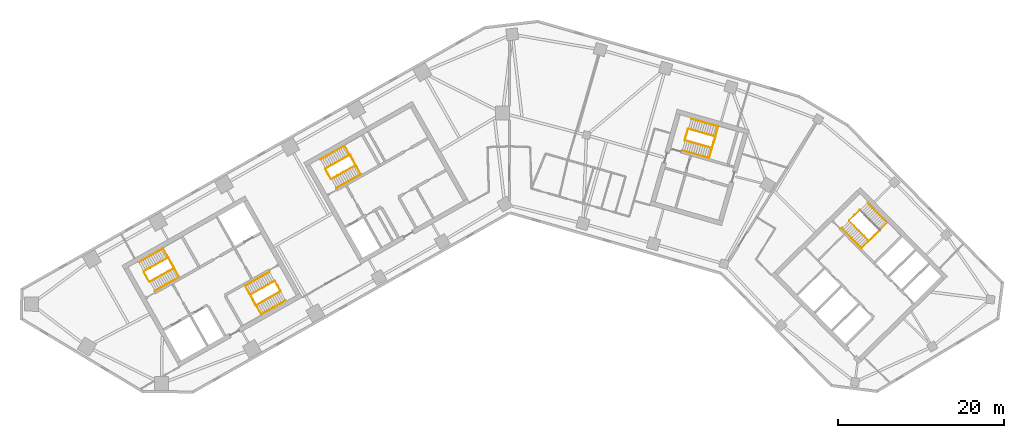
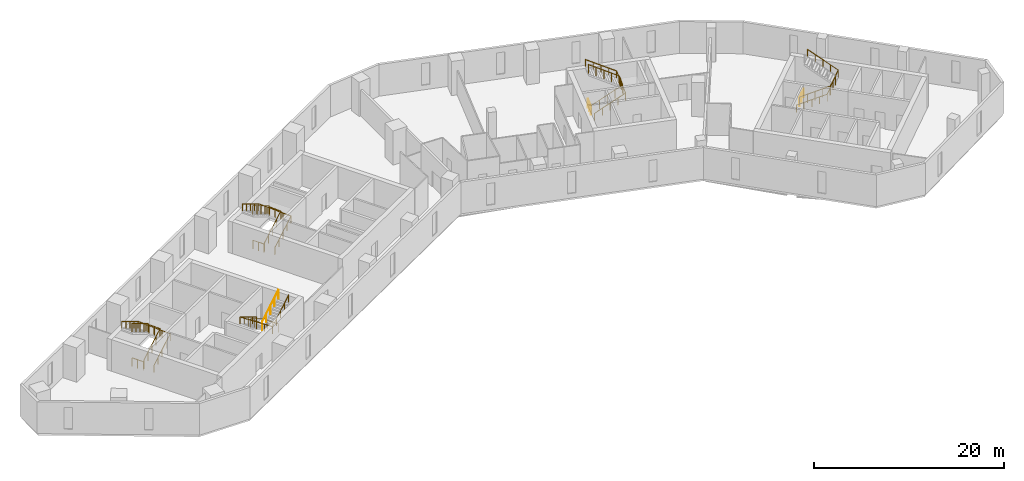
# One storey, part 9 of 10: 19 railings.
"""IFC4 building model written with IfcOpenShell, lengths in metres."""

import ifcopenshell
import ifcopenshell.guid

model = None  # the IFC model being written
_history = None  # IfcOwnerHistory: only IFC2X3 demands one
_inside = {}  # id of a spatial element -> (the spatial element, [elements in it])
_under = {}  # id of a project, library or spatial element -> (it, [spatial elements below it])
_declared = {}  # id of a project -> (the project, [libraries it declares])
_typed = {}  # id of a type object -> (the type object, [elements of that type])
_made_of = {}  # id of a material, layer set ... -> (it, [elements and type objects made of it])


def new_model(schema):
    """Start an empty IFC model of exactly this schema.

    Asked for "IFC4X3", IfcOpenShell would pick the latest addendum, in which some entities
    have other attributes; the version numbers below select the first issue.
    IFC2X3 requires an IfcOwnerHistory on every rooted entity: one is made here for all.
    """
    global model, _history
    if schema == "IFC4X3":
        model = ifcopenshell.file(schema_version=(4, 3, 0, 0))
    else:
        model = ifcopenshell.file(schema=schema)
    _inside.clear()
    _under.clear()
    _declared.clear()
    _typed.clear()
    _made_of.clear()
    _history = None
    if model.schema == "IFC2X3":
        org = make("IfcOrganization", Name="unknown")
        user = make(
            "IfcPersonAndOrganization",
            ThePerson=make("IfcPerson", FamilyName="unknown"),
            TheOrganization=org,
        )
        app = make(
            "IfcApplication",
            ApplicationDeveloper=org,
            Version="unknown",
            ApplicationFullName="unknown",
            ApplicationIdentifier="unknown",
        )
        _history = make(
            "IfcOwnerHistory",
            OwningUser=user,
            OwningApplication=app,
            ChangeAction="ADDED",
            CreationDate=0,
        )
    return model


def make(cls, **values):
    """One entity of the class cls with the attributes given. An attribute that is None is left unset."""
    return model.create_entity(
        cls, **{name: value for name, value in values.items() if value is not None}
    )


def rooted(cls, **values):
    """An entity with a GlobalId (a new one), such as an element, a storey or a relation."""
    return make(cls, GlobalId=ifcopenshell.guid.new(), OwnerHistory=_history, **values)


def si_unit(unit_type, name, prefix=None):
    """IfcSIUnit, for example si_unit("LENGTHUNIT", "METRE", prefix="MILLI")."""
    return make("IfcSIUnit", UnitType=unit_type, Prefix=prefix, Name=name)


def assignment(units):
    """IfcUnitAssignment: the units of a project."""
    return None if units is None else make("IfcUnitAssignment", Units=units)


def point(xyz):
    """IfcCartesianPoint."""
    return None if xyz is None else make("IfcCartesianPoint", Coordinates=xyz)


def direction(xyz):
    """IfcDirection."""
    return None if xyz is None else make("IfcDirection", DirectionRatios=xyz)


def frame(location, z_axis=None, x_axis=None):
    """IfcAxis2Placement3D, a coordinate frame: its origin and axes. An axis left out is left unset."""
    return make(
        "IfcAxis2Placement3D",
        Location=point(location),
        Axis=direction(z_axis),
        RefDirection=direction(x_axis),
    )


def frame_2d(location, x_axis=None):
    """IfcAxis2Placement2D, a coordinate frame in the plane: its origin and x axis."""
    return make(
        "IfcAxis2Placement2D", Location=point(location), RefDirection=direction(x_axis)
    )


def origin():
    """The frame at (0, 0, 0) with its axes left unset."""
    return frame((0.0, 0.0, 0.0))


def origin_2d():
    """The frame at (0, 0) in the plane with its x axis left unset."""
    return frame_2d((0.0, 0.0))


def place(relative_to, where):
    """IfcLocalPlacement: puts the frame where relative to a parent placement (None: the world)."""
    return make(
        "IfcLocalPlacement", PlacementRelTo=relative_to, RelativePlacement=where
    )


def context(
    kind, dimensions, precision=None, world=None, true_north=None, identifier=None
):
    """IfcGeometricRepresentationContext, for example the 3D "Model" context."""
    return make(
        "IfcGeometricRepresentationContext",
        ContextIdentifier=identifier,
        ContextType=kind,
        CoordinateSpaceDimension=dimensions,
        Precision=precision,
        WorldCoordinateSystem=world,
        TrueNorth=true_north,
    )


def subcontext(parent, identifier, kind, view, scale=None):
    """IfcGeometricRepresentationSubContext, for example "Body" below "Model"."""
    return make(
        "IfcGeometricRepresentationSubContext",
        ContextIdentifier=identifier,
        ContextType=kind,
        ParentContext=parent,
        TargetScale=scale,
        TargetView=view,
    )


def project(units=None, contexts=None):
    """IfcProject with its units and contexts."""
    return rooted(
        "IfcProject",
        Name="project",
        RepresentationContexts=contexts,
        UnitsInContext=assignment(units),
    )


def spatial(cls, under=None, at=None, **own):
    """A site, building, storey or space (cls), placed at a placement, below another one or the project."""
    s = rooted(cls, ObjectPlacement=at, **own)
    if under is not None:
        _under.setdefault(under.id(), (under, []))[1].append(s)
    return s


def profile(cls, at=None, kind="AREA", **sizes):
    """A parametric profile (cls). Its sizes go by their IFC names, for example OverallWidth=200.0."""
    return make(cls, ProfileType=kind, Position=at, **sizes)


def circle(**sizes):
    """IfcCircleProfileDef."""
    return profile("IfcCircleProfileDef", **sizes)


def extrude(swept, where, along, depth):
    """IfcExtrudedAreaSolid: the profile swept, set in the frame where, extruded along a direction by depth."""
    return make(
        "IfcExtrudedAreaSolid",
        SweptArea=swept,
        Position=where,
        ExtrudedDirection=direction(along),
        Depth=depth,
    )


def shape(context_of_items, identifier, shape_type, items):
    """IfcShapeRepresentation: the items that make up one representation, for example the "Body"."""
    return make(
        "IfcShapeRepresentation",
        ContextOfItems=context_of_items,
        RepresentationIdentifier=identifier,
        RepresentationType=shape_type,
        Items=items,
    )


def material(Name=None, Category=None):
    """IfcMaterial."""
    return make("IfcMaterial", Name=Name, Category=Category)


def made_of(thing, what):
    """Note that an element or type object is made of a material, layer set ...; save() writes the relation."""
    if what is not None:
        _made_of.setdefault(what.id(), (what, []))[1].append(thing)
    return thing


def type_object(cls, material=None, **own):
    """A type object (cls), such as IfcWallType, which elements share."""
    return made_of(rooted(cls, **own), material)


def element(
    cls,
    number,
    at=None,
    inside=None,
    cuts=None,
    type_object=None,
    material=None,
    context=None,
    identifier="Body",
    shape_type=None,
    held_by="IfcProductDefinitionShape",
    body=None,
    shapes=None,
    **own,
):
    """One element of the class cls, such as IfcWall. Its Tag is "e" and its number.

    at: its placement. inside: the storey or other place that contains it. cuts: it is an
    opening in that element (IfcRelVoidsElement). A single representation is given by context,
    identifier, shape_type and body (its items); several are given by shapes. held_by: the class
    of the entity that holds the representations. save() writes the other relations.
    """
    e = rooted(cls, Tag="e%d" % number, ObjectPlacement=at, **own)
    if body is not None:
        shapes = [shape(context, identifier, shape_type, body)]
    if shapes is not None:
        e.Representation = make(held_by, Representations=shapes)
    if inside is not None:
        _inside.setdefault(inside.id(), (inside, []))[1].append(e)
    if cuts is not None:
        rooted(
            "IfcRelVoidsElement", RelatingBuildingElement=cuts, RelatedOpeningElement=e
        )
    if type_object is not None:
        _typed.setdefault(type_object.id(), (type_object, []))[1].append(e)
    return made_of(e, material)


def aggregate(whole, parts):
    """IfcRelAggregates: a whole, such as a stair, and the parts it consists of."""
    return rooted("IfcRelAggregates", RelatingObject=whole, RelatedObjects=parts)


def save(model, path):
    """Write the relations noted so far, then the file.

    IfcRelAggregates (storeys below a building ...), IfcRelContainedInSpatialStructure (elements
    in a storey), IfcRelDefinesByType, IfcRelAssociatesMaterial and IfcRelDeclares: one each for
    every whole, place, type object, material and project.
    """
    for whole, parts in _under.values():
        aggregate(whole, parts)
    for where, things in _inside.values():
        rooted(
            "IfcRelContainedInSpatialStructure",
            RelatedElements=things,
            RelatingStructure=where,
        )
    for kind, things in _typed.values():
        rooted("IfcRelDefinesByType", RelatedObjects=things, RelatingType=kind)
    for what, things in _made_of.values():
        rooted("IfcRelAssociatesMaterial", RelatedObjects=things, RelatingMaterial=what)
    for by, libraries in _declared.values():
        rooted("IfcRelDeclares", RelatingContext=by, RelatedDefinitions=libraries)
    model.write(path)


model = new_model("IFC4")

# Units and contexts
model_context = context("Model", 3, precision=1e-05, world=origin(), true_north=direction((0.0, 1.0)))
body_context = subcontext(model_context, "Body", "Model", "MODEL_VIEW")
ifc_project = project(units=[si_unit("LENGTHUNIT", "METRE"), si_unit("AREAUNIT", "SQUARE_METRE"), si_unit("VOLUMEUNIT", "CUBIC_METRE"), si_unit("PLANEANGLEUNIT", "RADIAN"), si_unit("MASSUNIT", "GRAM", prefix="KILO")], contexts=[model_context])

# Site, building, storey
site_placement = place(None, origin())
site = spatial("IfcSite", under=ifc_project, at=site_placement, CompositionType="ELEMENT")
building_placement = place(site_placement, origin())
building = spatial("IfcBuilding", under=site, at=building_placement, Name="Binnacle Exchange Tower", CompositionType="ELEMENT")
storey_placement = place(building_placement, frame((0.0, 0.0, 110.300048828125)))
storey = spatial("IfcBuildingStorey", under=building, at=storey_placement, Name="L22", CompositionType="ELEMENT", Elevation=110.300048828125)

# Railings
ifc_material_1 = material(Name="Steel guard rail", Category="steel")
railing_type_1 = type_object("IfcRailingType", Name="STAIR GUARD 1100", PredefinedType="GUARDRAIL", material=ifc_material_1)
railing_1_placement = place(storey_placement, frame((-43.26171875, 39.71728515625, 0.169189453125)))
element("IfcRailing", 1, at=railing_1_placement, inside=storey, type_object=railing_type_1, Name="L22 STA1 stair guard 1", PredefinedType="GUARDRAIL", context=body_context, shape_type="SweptSolid", body=[
    extrude(circle(Radius=0.02392578125, at=origin_2d()), frame((0.0, 0.0, 1.076171875), z_axis=(0.744867460262, 0.421436531824, 0.517265614832), x_axis=(-0.492433119026, 0.870350287693, 0.0)), (0.0, 0.0, 1.0), 3.926025390625),
    extrude(circle(Radius=0.02392578125, at=origin_2d()), frame((2.92431640625, 1.654541015625, 3.10693359375), z_axis=(-0.460963092712, 0.887419307406, 0.0), x_axis=(-0.887419307406, -0.460963092712, 0.0)), (0.0, 0.0, 1.0), 1.40087890625),
    extrude(circle(Radius=0.02099609375, at=origin_2d()), origin(), (0.0, 0.0, 1.0), 1.052001953125),
    extrude(circle(Radius=0.02099609375, at=origin_2d()), frame((0.73095703125, 0.41357421875, 0.5078125)), (0.0, 0.0, 1.0), 1.052001953125),
    extrude(circle(Radius=0.02099609375, at=origin_2d()), frame((1.462158203125, 0.8271484375, 1.015380859375)), (0.0, 0.0, 1.0), 1.052001953125),
    extrude(circle(Radius=0.02099609375, at=origin_2d()), frame((2.193359375, 1.240966796875, 1.52294921875)), (0.0, 0.0, 1.0), 1.052001953125),
    extrude(circle(Radius=0.02099609375, at=origin_2d()), frame((2.92431640625, 1.654541015625, 2.03076171875)), (0.0, 0.0, 1.0), 1.052001953125),
    extrude(circle(Radius=0.02099609375, at=origin_2d()), frame((2.6015625, 2.276123046875, 2.03076171875)), (0.0, 0.0, 1.0), 1.052001953125),
    extrude(circle(Radius=0.02099609375, at=origin_2d()), frame((2.278564453125, 2.897705078125, 2.03076171875)), (0.0, 0.0, 1.0), 1.052001953125),
])
railing_2_placement = place(storey_placement, frame((-41.05126953125, 42.6337890625, 2.369140625)))
element("IfcRailing", 2, at=railing_2_placement, inside=storey, type_object=railing_type_1, Name="L22 STA1 stair guard 2", PredefinedType="GUARDRAIL", context=body_context, shape_type="SweptSolid", body=[
    extrude(circle(Radius=0.02392578125, at=origin_2d()), frame((0.0, 0.0, 1.076171875), z_axis=(-0.744895141965, -0.421417011194, 0.517241655469), x_axis=(0.49240197835, -0.870367905955, 0.0)), (0.0, 0.0, 1.0), 3.926025390625),
    extrude(circle(Radius=0.02099609375, at=origin_2d()), origin(), (0.0, 0.0, 1.0), 1.052001953125),
    extrude(circle(Radius=0.02099609375, at=origin_2d()), frame((-0.731201171875, -0.41357421875, 0.5078125)), (0.0, 0.0, 1.0), 1.052001953125),
    extrude(circle(Radius=0.02099609375, at=origin_2d()), frame((-1.46240234375, -0.8271484375, 1.015380859375)), (0.0, 0.0, 1.0), 1.052001953125),
    extrude(circle(Radius=0.02099609375, at=origin_2d()), frame((-2.193359375, -1.240966796875, 1.52294921875)), (0.0, 0.0, 1.0), 1.052001953125),
    extrude(circle(Radius=0.02099609375, at=origin_2d()), frame((-2.924560546875, -1.654541015625, 2.03076171875)), (0.0, 0.0, 1.0), 1.052001953125),
])
railing_3_placement = place(storey_placement, frame((-43.329833984375, 39.736328125, 0.0)))
element("IfcRailing", 3, at=railing_3_placement, inside=storey, type_object=railing_type_1, Name="L22 STA1 stair guard 3", PredefinedType="GUARDRAIL", context=body_context, shape_type="SweptSolid", body=[
    extrude(circle(Radius=0.02392578125, at=origin_2d()), frame((0.0, 0.0, 1.076171875), z_axis=(-0.4924922531, 0.870316827734, 0.0), x_axis=(-0.870316827734, -0.4924922531, 0.0)), (0.0, 0.0, 1.0), 1.349853515625),
    extrude(circle(Radius=0.02099609375, at=origin_2d()), origin(), (0.0, 0.0, 1.0), 1.052001953125),
    extrude(circle(Radius=0.02099609375, at=origin_2d()), frame((-0.33251953125, 0.58740234375, 0.0)), (0.0, 0.0, 1.0), 1.052001953125),
    extrude(circle(Radius=0.02099609375, at=origin_2d()), frame((-0.664794921875, 1.1748046875, 0.0)), (0.0, 0.0, 1.0), 1.052001953125),
])
railing_4_placement = place(storey_placement, frame((-28.265380859375, 39.814453125, 0.169189453125)))
element("IfcRailing", 4, at=railing_4_placement, inside=storey, type_object=railing_type_1, Name="L22 STA2 stair guard 1", PredefinedType="GUARDRAIL", context=body_context, shape_type="SweptSolid", body=[
    extrude(circle(Radius=0.02392578125, at=origin_2d()), frame((0.0, 0.0, 1.076171875), z_axis=(-0.744895141965, -0.421417011194, 0.517241655469), x_axis=(0.49240197835, -0.870367905955, 0.0)), (0.0, 0.0, 1.0), 3.926025390625),
    extrude(circle(Radius=0.02392578125, at=origin_2d()), frame((-2.924560546875, -1.654541015625, 3.10693359375), z_axis=(0.461100321709, -0.887348011391, 0.0), x_axis=(0.887348011391, 0.461100321709, 0.0)), (0.0, 0.0, 1.0), 1.40087890625),
    extrude(circle(Radius=0.02099609375, at=origin_2d()), origin(), (0.0, 0.0, 1.0), 1.052001953125),
    extrude(circle(Radius=0.02099609375, at=origin_2d()), frame((-0.731201171875, -0.41357421875, 0.5078125)), (0.0, 0.0, 1.0), 1.052001953125),
    extrude(circle(Radius=0.02099609375, at=origin_2d()), frame((-1.46240234375, -0.8271484375, 1.015380859375)), (0.0, 0.0, 1.0), 1.052001953125),
    extrude(circle(Radius=0.02099609375, at=origin_2d()), frame((-2.193359375, -1.240966796875, 1.52294921875)), (0.0, 0.0, 1.0), 1.052001953125),
    extrude(circle(Radius=0.02099609375, at=origin_2d()), frame((-2.924560546875, -1.654541015625, 2.03076171875)), (0.0, 0.0, 1.0), 1.052001953125),
    extrude(circle(Radius=0.02099609375, at=origin_2d()), frame((-2.6015625, -2.276123046875, 2.03076171875)), (0.0, 0.0, 1.0), 1.052001953125),
    extrude(circle(Radius=0.02099609375, at=origin_2d()), frame((-2.278564453125, -2.897705078125, 2.03076171875)), (0.0, 0.0, 1.0), 1.052001953125),
])
railing_5_placement = place(storey_placement, frame((-30.475830078125, 36.89794921875, 2.369140625)))
element("IfcRailing", 5, at=railing_5_placement, inside=storey, type_object=railing_type_1, Name="L22 STA2 stair guard 2", PredefinedType="GUARDRAIL", context=body_context, shape_type="SweptSolid", body=[
    extrude(circle(Radius=0.02392578125, at=origin_2d()), frame((0.0, 0.0, 1.076171875), z_axis=(0.744867460262, 0.421436531824, 0.517265614832), x_axis=(-0.492433119026, 0.870350287693, 0.0)), (0.0, 0.0, 1.0), 3.926025390625),
    extrude(circle(Radius=0.02099609375, at=origin_2d()), origin(), (0.0, 0.0, 1.0), 1.052001953125),
    extrude(circle(Radius=0.02099609375, at=origin_2d()), frame((0.73095703125, 0.41357421875, 0.5078125)), (0.0, 0.0, 1.0), 1.052001953125),
    extrude(circle(Radius=0.02099609375, at=origin_2d()), frame((1.462158203125, 0.8271484375, 1.015380859375)), (0.0, 0.0, 1.0), 1.052001953125),
    extrude(circle(Radius=0.02099609375, at=origin_2d()), frame((2.193359375, 1.240966796875, 1.52294921875)), (0.0, 0.0, 1.0), 1.052001953125),
    extrude(circle(Radius=0.02099609375, at=origin_2d()), frame((2.92431640625, 1.654541015625, 2.03076171875)), (0.0, 0.0, 1.0), 1.052001953125),
])
railing_6_placement = place(storey_placement, frame((-28.197265625, 39.795654296875, 0.0)))
element("IfcRailing", 6, at=railing_6_placement, inside=storey, type_object=railing_type_1, Name="L22 STA2 stair guard 3", PredefinedType="GUARDRAIL", context=body_context, shape_type="SweptSolid", body=[
    extrude(circle(Radius=0.02392578125, at=origin_2d()), frame((0.0, 0.0, 1.076171875), z_axis=(0.49241474071, -0.870360685654, 0.0), x_axis=(0.870360685654, 0.49241474071, 0.0)), (0.0, 0.0, 1.0), 1.35009765625),
    extrude(circle(Radius=0.02099609375, at=origin_2d()), origin(), (0.0, 0.0, 1.0), 1.052001953125),
    extrude(circle(Radius=0.02099609375, at=origin_2d()), frame((0.33251953125, -0.58740234375, 0.0)), (0.0, 0.0, 1.0), 1.052001953125),
    extrude(circle(Radius=0.02099609375, at=origin_2d()), frame((0.664794921875, -1.175048828125, 0.0)), (0.0, 0.0, 1.0), 1.052001953125),
])
railing_7_placement = place(storey_placement, frame((40.822509765625, 47.046875, 0.169189453125)))
element("IfcRailing", 7, at=railing_7_placement, inside=storey, type_object=railing_type_1, Name="L22 STB1 stair guard 1", PredefinedType="GUARDRAIL", context=body_context, shape_type="SweptSolid", body=[
    extrude(circle(Radius=0.02392578125, at=origin_2d()), frame((0.0, 0.0, 1.076171875), z_axis=(0.599850224077, -0.610421915772, 0.51726665601), x_axis=(0.713256128111, 0.700903485305, 0.0)), (0.0, 0.0, 1.0), 3.926025390625),
    extrude(circle(Radius=0.02392578125, at=origin_2d()), frame((2.35498046875, -2.396484375, 3.10693359375), z_axis=(0.732527851538, 0.680737061369, 0.0), x_axis=(-0.680737061369, 0.732527851538, 0.0)), (0.0, 0.0, 1.0), 1.80078125),
    extrude(circle(Radius=0.02099609375, at=origin_2d()), origin(), (0.0, 0.0, 1.0), 1.052001953125),
    extrude(circle(Radius=0.02099609375, at=origin_2d()), frame((0.5888671875, -0.59912109375, 0.5078125)), (0.0, 0.0, 1.0), 1.052001953125),
    extrude(circle(Radius=0.02099609375, at=origin_2d()), frame((1.177490234375, -1.1982421875, 1.015380859375)), (0.0, 0.0, 1.0), 1.052001953125),
    extrude(circle(Radius=0.02099609375, at=origin_2d()), frame((1.76611328125, -1.79736328125, 1.52294921875)), (0.0, 0.0, 1.0), 1.052001953125),
    extrude(circle(Radius=0.02099609375, at=origin_2d()), frame((2.35498046875, -2.396484375, 2.03076171875)), (0.0, 0.0, 1.0), 1.052001953125),
    extrude(circle(Radius=0.02099609375, at=origin_2d()), frame((3.0146484375, -1.78369140625, 2.03076171875)), (0.0, 0.0, 1.0), 1.052001953125),
    extrude(circle(Radius=0.02099609375, at=origin_2d()), frame((3.674072265625, -1.170654296875, 2.03076171875)), (0.0, 0.0, 1.0), 1.052001953125),
])
railing_8_placement = place(storey_placement, frame((40.8232421875, 47.117431640625, 0.0)))
element("IfcRailing", 8, at=railing_8_placement, inside=storey, type_object=railing_type_1, Name="L22 STB1 stair guard 3", PredefinedType="GUARDRAIL", context=body_context, shape_type="SweptSolid", body=[
    extrude(circle(Radius=0.02392578125, at=origin_2d()), frame((0.0, 0.0, 1.076171875), z_axis=(0.713218950569, 0.700941316052, 0.0), x_axis=(-0.700941316052, 0.713218950569, 0.0)), (0.0, 0.0, 1.0), 1.75),
    extrude(circle(Radius=0.02099609375, at=origin_2d()), origin(), (0.0, 0.0, 1.0), 1.052001953125),
    extrude(circle(Radius=0.02099609375, at=origin_2d()), frame((0.6240234375, 0.61328125, 0.0)), (0.0, 0.0, 1.0), 1.052001953125),
    extrude(circle(Radius=0.02099609375, at=origin_2d()), frame((1.248046875, 1.2265625, 0.0)), (0.0, 0.0, 1.0), 1.052001953125),
])
railing_9_placement = place(storey_placement, frame((-21.423828125, 52.07275390625, 0.169189453125)))
element("IfcRailing", 9, at=railing_9_placement, inside=storey, type_object=railing_type_1, Name="L22 STC1 stair guard 1", PredefinedType="GUARDRAIL", context=body_context, shape_type="SweptSolid", body=[
    extrude(circle(Radius=0.02392578125, at=origin_2d()), frame((0.0, 0.0, 1.076171875), z_axis=(0.744895141965, 0.421417011194, 0.517241655469), x_axis=(-0.49240197835, 0.870367905955, 0.0)), (0.0, 0.0, 1.0), 3.926025390625),
    extrude(circle(Radius=0.02392578125, at=origin_2d()), frame((2.924560546875, 1.654541015625, 3.10693359375), z_axis=(-0.461171632143, 0.887310952094, 0.0), x_axis=(-0.887310952094, -0.461171632143, 0.0)), (0.0, 0.0, 1.0), 1.40087890625),
    extrude(circle(Radius=0.02099609375, at=origin_2d()), origin(), (0.0, 0.0, 1.0), 1.052001953125),
    extrude(circle(Radius=0.02099609375, at=origin_2d()), frame((0.731201171875, 0.41357421875, 0.5078125)), (0.0, 0.0, 1.0), 1.052001953125),
    extrude(circle(Radius=0.02099609375, at=origin_2d()), frame((1.46240234375, 0.8271484375, 1.015380859375)), (0.0, 0.0, 1.0), 1.052001953125),
    extrude(circle(Radius=0.02099609375, at=origin_2d()), frame((2.193359375, 1.240966796875, 1.52294921875)), (0.0, 0.0, 1.0), 1.052001953125),
    extrude(circle(Radius=0.02099609375, at=origin_2d()), frame((2.924560546875, 1.654541015625, 2.03076171875)), (0.0, 0.0, 1.0), 1.052001953125),
    extrude(circle(Radius=0.02099609375, at=origin_2d()), frame((2.6015625, 2.27587890625, 2.03076171875)), (0.0, 0.0, 1.0), 1.052001953125),
    extrude(circle(Radius=0.02099609375, at=origin_2d()), frame((2.278564453125, 2.8974609375, 2.03076171875)), (0.0, 0.0, 1.0), 1.052001953125),
])
railing_10_placement = place(storey_placement, frame((-19.21337890625, 54.9892578125, 2.369140625)))
element("IfcRailing", 10, at=railing_10_placement, inside=storey, type_object=railing_type_1, Name="L22 STC1 stair guard 2", PredefinedType="GUARDRAIL", context=body_context, shape_type="SweptSolid", body=[
    extrude(circle(Radius=0.02392578125, at=origin_2d()), frame((0.0, 0.0, 1.076171875), z_axis=(-0.744867460262, -0.421436531824, 0.517265614832), x_axis=(0.492433119026, -0.870350287693, 0.0)), (0.0, 0.0, 1.0), 3.926025390625),
    extrude(circle(Radius=0.02099609375, at=origin_2d()), origin(), (0.0, 0.0, 1.0), 1.052001953125),
    extrude(circle(Radius=0.02099609375, at=origin_2d()), frame((-0.73095703125, -0.41357421875, 0.5078125)), (0.0, 0.0, 1.0), 1.052001953125),
    extrude(circle(Radius=0.02099609375, at=origin_2d()), frame((-1.462158203125, -0.8271484375, 1.015380859375)), (0.0, 0.0, 1.0), 1.052001953125),
    extrude(circle(Radius=0.02099609375, at=origin_2d()), frame((-2.193359375, -1.240966796875, 1.52294921875)), (0.0, 0.0, 1.0), 1.052001953125),
    extrude(circle(Radius=0.02099609375, at=origin_2d()), frame((-2.92431640625, -1.654541015625, 2.03076171875)), (0.0, 0.0, 1.0), 1.052001953125),
])
railing_11_placement = place(storey_placement, frame((-21.491943359375, 52.091552734375, 0.0)))
element("IfcRailing", 11, at=railing_11_placement, inside=storey, type_object=railing_type_1, Name="L22 STC1 stair guard 3", PredefinedType="GUARDRAIL", context=body_context, shape_type="SweptSolid", body=[
    extrude(circle(Radius=0.02392578125, at=origin_2d()), frame((0.0, 0.0, 1.076171875), z_axis=(-0.49241474071, 0.870360685654, 0.0), x_axis=(-0.870360685654, -0.49241474071, 0.0)), (0.0, 0.0, 1.0), 1.35009765625),
    extrude(circle(Radius=0.02099609375, at=origin_2d()), origin(), (0.0, 0.0, 1.0), 1.052001953125),
    extrude(circle(Radius=0.02099609375, at=origin_2d()), frame((-0.33251953125, 0.58740234375, 0.0)), (0.0, 0.0, 1.0), 1.052001953125),
    extrude(circle(Radius=0.02099609375, at=origin_2d()), frame((-0.664794921875, 1.175048828125, 0.0)), (0.0, 0.0, 1.0), 1.052001953125),
])
railing_12_placement = place(storey_placement, frame((21.086669921875, 56.71044921875, 0.169189453125)))
element("IfcRailing", 12, at=railing_12_placement, inside=storey, type_object=railing_type_1, Name="L22 STD1 stair guard 1", PredefinedType="GUARDRAIL", context=body_context, shape_type="SweptSolid", body=[
    extrude(circle(Radius=0.02392578125, at=origin_2d()), frame((0.0, 0.0, 1.076171875), z_axis=(0.82266146106, -0.235934506256, 0.517264950721), x_axis=(0.27568068152, 0.961249271436, 0.0)), (0.0, 0.0, 1.0), 3.926025390625),
    extrude(circle(Radius=0.02392578125, at=origin_2d()), frame((3.229736328125, -0.92626953125, 3.10693359375), z_axis=(0.309842533299, 0.950787886208, 0.0), x_axis=(-0.950787886208, 0.309842533299, 0.0)), (0.0, 0.0, 1.0), 1.40087890625),
    extrude(circle(Radius=0.02099609375, at=origin_2d()), origin(), (0.0, 0.0, 1.0), 1.052001953125),
    extrude(circle(Radius=0.02099609375, at=origin_2d()), frame((0.807373046875, -0.2314453125, 0.5078125)), (0.0, 0.0, 1.0), 1.052001953125),
    extrude(circle(Radius=0.02099609375, at=origin_2d()), frame((1.61474609375, -0.463134765625, 1.015380859375)), (0.0, 0.0, 1.0), 1.052001953125),
    extrude(circle(Radius=0.02099609375, at=origin_2d()), frame((2.42236328125, -0.69482421875, 1.52294921875)), (0.0, 0.0, 1.0), 1.052001953125),
    extrude(circle(Radius=0.02099609375, at=origin_2d()), frame((3.229736328125, -0.92626953125, 2.03076171875)), (0.0, 0.0, 1.0), 1.052001953125),
    extrude(circle(Radius=0.02099609375, at=origin_2d()), frame((3.44677734375, -0.26025390625, 2.03076171875)), (0.0, 0.0, 1.0), 1.052001953125),
    extrude(circle(Radius=0.02099609375, at=origin_2d()), frame((3.663818359375, 0.40576171875, 2.03076171875)), (0.0, 0.0, 1.0), 1.052001953125),
])
railing_13_placement = place(storey_placement, frame((24.716064453125, 57.177978515625, 2.369140625)))
element("IfcRailing", 13, at=railing_13_placement, inside=storey, type_object=railing_type_1, Name="L22 STD1 stair guard 2", PredefinedType="GUARDRAIL", context=body_context, shape_type="SweptSolid", body=[
    extrude(circle(Radius=0.02392578125, at=origin_2d()), frame((0.0, 0.0, 1.076171875), z_axis=(-0.82266146106, 0.235934506256, 0.517264950721), x_axis=(-0.27568068152, -0.961249271436, 0.0)), (0.0, 0.0, 1.0), 3.926025390625),
    extrude(circle(Radius=0.02099609375, at=origin_2d()), origin(), (0.0, 0.0, 1.0), 1.052001953125),
    extrude(circle(Radius=0.02099609375, at=origin_2d()), frame((-0.807373046875, 0.2314453125, 0.5078125)), (0.0, 0.0, 1.0), 1.052001953125),
    extrude(circle(Radius=0.02099609375, at=origin_2d()), frame((-1.61474609375, 0.463134765625, 1.015380859375)), (0.0, 0.0, 1.0), 1.052001953125),
    extrude(circle(Radius=0.02099609375, at=origin_2d()), frame((-2.42236328125, 0.69482421875, 1.52294921875)), (0.0, 0.0, 1.0), 1.052001953125),
    extrude(circle(Radius=0.02099609375, at=origin_2d()), frame((-3.229736328125, 0.92626953125, 2.03076171875)), (0.0, 0.0, 1.0), 1.052001953125),
])
railing_14_placement = place(storey_placement, frame((21.05224609375, 56.772216796875, 0.0)))
element("IfcRailing", 14, at=railing_14_placement, inside=storey, type_object=railing_type_1, Name="L22 STD1 stair guard 3", PredefinedType="GUARDRAIL", context=body_context, shape_type="SweptSolid", body=[
    extrude(circle(Radius=0.02392578125, at=origin_2d()), frame((0.0, 0.0, 1.076171875), z_axis=(0.275795817769, 0.961216243569, 0.0), x_axis=(-0.961216243569, 0.275795817769, 0.0)), (0.0, 0.0, 1.0), 1.349853515625),
    extrude(circle(Radius=0.02099609375, at=origin_2d()), origin(), (0.0, 0.0, 1.0), 1.052001953125),
    extrude(circle(Radius=0.02099609375, at=origin_2d()), frame((0.18603515625, 0.64892578125, 0.0)), (0.0, 0.0, 1.0), 1.052001953125),
    extrude(circle(Radius=0.02099609375, at=origin_2d()), frame((0.372314453125, 1.297607421875, 0.0)), (0.0, 0.0, 1.0), 1.052001953125),
])
ifc_material_2 = material(Name="Steel handrail", Category="steel")
railing_type_2 = type_object("IfcRailingType", Name="STAIR HANDRAIL 900", PredefinedType="HANDRAIL", material=ifc_material_2)
railing_15_placement = place(storey_placement, frame((-42.646240234375, 38.62939453125, 0.169189453125)))
element("IfcRailing", 15, at=railing_15_placement, inside=storey, type_object=railing_type_2, Name="L22 STA1 stair handrail 1", PredefinedType="HANDRAIL", context=body_context, shape_type="SweptSolid", body=[
    extrude(circle(Radius=0.02392578125, at=origin_2d()), frame((0.0, 0.0, 0.8759765625), z_axis=(0.744867460262, 0.421436531824, 0.517265614832), x_axis=(-0.492433119026, 0.870350287693, 0.0)), (0.0, 0.0, 1.0), 3.926025390625),
    extrude(circle(Radius=0.02392578125, at=origin_2d()), frame((2.92431640625, 1.654541015625, 2.90673828125), z_axis=(-0.491962556146, 0.869564041126, 0.04279277663), x_axis=(-0.870361318571, -0.492413622004, 0.0)), (0.0, 0.0, 1.0), 3.95361328125),
    extrude(circle(Radius=0.02392578125, at=origin_2d()), frame((0.979248046875, 5.092529296875, 3.07568359375), z_axis=(-0.744867460262, -0.421436531824, 0.517265614832), x_axis=(0.492433119026, -0.870350287693, 0.0)), (0.0, 0.0, 1.0), 3.926025390625),
    extrude(circle(Radius=0.02099609375, at=origin_2d()), origin(), (0.0, 0.0, 1.0), 0.851806640625),
    extrude(circle(Radius=0.02099609375, at=origin_2d()), frame((0.73095703125, 0.41357421875, 0.5078125)), (0.0, 0.0, 1.0), 0.851806640625),
    extrude(circle(Radius=0.02099609375, at=origin_2d()), frame((1.462158203125, 0.8271484375, 1.015380859375)), (0.0, 0.0, 1.0), 0.851806640625),
    extrude(circle(Radius=0.02099609375, at=origin_2d()), frame((2.193359375, 1.240966796875, 1.52294921875)), (0.0, 0.0, 1.0), 0.851806640625),
    extrude(circle(Radius=0.02099609375, at=origin_2d()), frame((2.92431640625, 1.654541015625, 2.03076171875)), (0.0, 0.0, 1.0), 0.851806640625),
    extrude(circle(Radius=0.02099609375, at=origin_2d()), frame((2.43798828125, 2.51416015625, 2.072998046875)), (0.0, 0.0, 1.0), 0.851806640625),
    extrude(circle(Radius=0.02099609375, at=origin_2d()), frame((1.95166015625, 3.37353515625, 2.115234375)), (0.0, 0.0, 1.0), 0.851806640625),
    extrude(circle(Radius=0.02099609375, at=origin_2d()), frame((1.465576171875, 4.23291015625, 2.15771484375)), (0.0, 0.0, 1.0), 0.851806640625),
    extrude(circle(Radius=0.02099609375, at=origin_2d()), frame((0.979248046875, 5.092529296875, 2.199951171875)), (0.0, 0.0, 1.0), 0.851806640625),
    extrude(circle(Radius=0.02099609375, at=origin_2d()), frame((0.248046875, 4.678955078125, 2.70751953125)), (0.0, 0.0, 1.0), 0.851806640625),
    extrude(circle(Radius=0.02099609375, at=origin_2d()), frame((-0.48291015625, 4.26513671875, 3.21533203125)), (0.0, 0.0, 1.0), 0.851806640625),
    extrude(circle(Radius=0.02099609375, at=origin_2d()), frame((-1.2138671875, 3.8515625, 3.72314453125)), (0.0, 0.0, 1.0), 0.851806640625),
    extrude(circle(Radius=0.02099609375, at=origin_2d()), frame((-1.945068359375, 3.43798828125, 4.230712890625)), (0.0, 0.0, 1.0), 0.851806640625),
])
railing_16_placement = place(storey_placement, frame((-28.880859375, 40.90234375, 0.169189453125)))
element("IfcRailing", 16, at=railing_16_placement, inside=storey, type_object=railing_type_2, Name="L22 STA2 stair handrail 1", PredefinedType="HANDRAIL", context=body_context, shape_type="SweptSolid", body=[
    extrude(circle(Radius=0.02392578125, at=origin_2d()), frame((0.0, 0.0, 0.8759765625), z_axis=(-0.744895141965, -0.421417011194, 0.517241655469), x_axis=(0.49240197835, -0.870367905955, 0.0)), (0.0, 0.0, 1.0), 3.926025390625),
    extrude(circle(Radius=0.02392578125, at=origin_2d()), frame((-2.924560546875, -1.654541015625, 2.90673828125), z_axis=(0.491988973567, -0.869548981648, 0.042795074518), x_axis=(0.87034633103, 0.492440112159, 0.0)), (0.0, 0.0, 1.0), 3.953369140625),
    extrude(circle(Radius=0.02392578125, at=origin_2d()), frame((-0.9794921875, -5.09228515625, 3.07568359375), z_axis=(0.744895141965, 0.421417011194, 0.517241655469), x_axis=(-0.49240197835, 0.870367905955, 0.0)), (0.0, 0.0, 1.0), 3.926025390625),
    extrude(circle(Radius=0.02099609375, at=origin_2d()), origin(), (0.0, 0.0, 1.0), 0.851806640625),
    extrude(circle(Radius=0.02099609375, at=origin_2d()), frame((-0.731201171875, -0.41357421875, 0.5078125)), (0.0, 0.0, 1.0), 0.851806640625),
    extrude(circle(Radius=0.02099609375, at=origin_2d()), frame((-1.46240234375, -0.8271484375, 1.015380859375)), (0.0, 0.0, 1.0), 0.851806640625),
    extrude(circle(Radius=0.02099609375, at=origin_2d()), frame((-2.193359375, -1.240966796875, 1.52294921875)), (0.0, 0.0, 1.0), 0.851806640625),
    extrude(circle(Radius=0.02099609375, at=origin_2d()), frame((-2.924560546875, -1.654541015625, 2.03076171875)), (0.0, 0.0, 1.0), 0.851806640625),
    extrude(circle(Radius=0.02099609375, at=origin_2d()), frame((-2.438232421875, -2.513916015625, 2.072998046875)), (0.0, 0.0, 1.0), 0.851806640625),
    extrude(circle(Radius=0.02099609375, at=origin_2d()), frame((-1.9521484375, -3.37353515625, 2.115234375)), (0.0, 0.0, 1.0), 0.851806640625),
    extrude(circle(Radius=0.02099609375, at=origin_2d()), frame((-1.4658203125, -4.23291015625, 2.15771484375)), (0.0, 0.0, 1.0), 0.851806640625),
    extrude(circle(Radius=0.02099609375, at=origin_2d()), frame((-0.9794921875, -5.09228515625, 2.199951171875)), (0.0, 0.0, 1.0), 0.851806640625),
    extrude(circle(Radius=0.02099609375, at=origin_2d()), frame((-0.248291015625, -4.6787109375, 2.70751953125)), (0.0, 0.0, 1.0), 0.851806640625),
    extrude(circle(Radius=0.02099609375, at=origin_2d()), frame((0.48291015625, -4.26513671875, 3.21533203125)), (0.0, 0.0, 1.0), 0.851806640625),
    extrude(circle(Radius=0.02099609375, at=origin_2d()), frame((1.2138671875, -3.851318359375, 3.72314453125)), (0.0, 0.0, 1.0), 0.851806640625),
    extrude(circle(Radius=0.02099609375, at=origin_2d()), frame((1.945068359375, -3.437744140625, 4.230712890625)), (0.0, 0.0, 1.0), 0.851806640625),
])
railing_17_placement = place(storey_placement, frame((39.930908203125, 46.170654296875, 0.169189453125)))
element("IfcRailing", 17, at=railing_17_placement, inside=storey, type_object=railing_type_2, Name="L22 STB1 stair handrail 1", PredefinedType="HANDRAIL", context=body_context, shape_type="SweptSolid", body=[
    extrude(circle(Radius=0.02392578125, at=origin_2d()), frame((0.0, 0.0, 0.8759765625), z_axis=(0.599890032335, -0.610399145579, 0.51724736073), x_axis=(0.713219803244, 0.700940448441, 0.0)), (0.0, 0.0, 1.0), 3.926025390625),
    extrude(circle(Radius=0.02392578125, at=origin_2d()), frame((2.355224609375, -2.396484375, 2.90673828125), z_axis=(0.712714810107, 0.700376341566, 0.038866175905), x_axis=(-0.700905928746, 0.713253726978, 0.0)), (0.0, 0.0, 1.0), 4.35302734375),
    extrude(circle(Radius=0.02392578125, at=origin_2d()), frame((5.457763671875, 0.65234375, 3.07568359375), z_axis=(-0.599827453926, 0.610460928384, 0.517247020709), x_axis=(-0.713291821981, -0.70086716052, 0.0)), (0.0, 0.0, 1.0), 3.926025390625),
    extrude(circle(Radius=0.02099609375, at=origin_2d()), origin(), (0.0, 0.0, 1.0), 0.851806640625),
    extrude(circle(Radius=0.02099609375, at=origin_2d()), frame((0.5888671875, -0.59912109375, 0.5078125)), (0.0, 0.0, 1.0), 0.851806640625),
    extrude(circle(Radius=0.02099609375, at=origin_2d()), frame((1.177734375, -1.1982421875, 1.015380859375)), (0.0, 0.0, 1.0), 0.851806640625),
    extrude(circle(Radius=0.02099609375, at=origin_2d()), frame((1.766357421875, -1.79736328125, 1.52294921875)), (0.0, 0.0, 1.0), 0.851806640625),
    extrude(circle(Radius=0.02099609375, at=origin_2d()), frame((2.355224609375, -2.396484375, 2.03076171875)), (0.0, 0.0, 1.0), 0.851806640625),
    extrude(circle(Radius=0.02099609375, at=origin_2d()), frame((3.130859375, -1.63427734375, 2.072998046875)), (0.0, 0.0, 1.0), 0.851806640625),
    extrude(circle(Radius=0.02099609375, at=origin_2d()), frame((3.906494140625, -0.8720703125, 2.115234375)), (0.0, 0.0, 1.0), 0.851806640625),
    extrude(circle(Radius=0.02099609375, at=origin_2d()), frame((4.68212890625, -0.10986328125, 2.15771484375)), (0.0, 0.0, 1.0), 0.851806640625),
    extrude(circle(Radius=0.02099609375, at=origin_2d()), frame((5.457763671875, 0.65234375, 2.199951171875)), (0.0, 0.0, 1.0), 0.851806640625),
    extrude(circle(Radius=0.02099609375, at=origin_2d()), frame((4.869140625, 1.25146484375, 2.70751953125)), (0.0, 0.0, 1.0), 0.851806640625),
    extrude(circle(Radius=0.02099609375, at=origin_2d()), frame((4.2802734375, 1.8505859375, 3.21533203125)), (0.0, 0.0, 1.0), 0.851806640625),
    extrude(circle(Radius=0.02099609375, at=origin_2d()), frame((3.69140625, 2.449951171875, 3.72314453125)), (0.0, 0.0, 1.0), 0.851806640625),
    extrude(circle(Radius=0.02099609375, at=origin_2d()), frame((3.102783203125, 3.049072265625, 4.230712890625)), (0.0, 0.0, 1.0), 0.851806640625),
])
railing_18_placement = place(storey_placement, frame((-20.808349609375, 50.984619140625, 0.169189453125)))
element("IfcRailing", 18, at=railing_18_placement, inside=storey, type_object=railing_type_2, Name="L22 STC1 stair handrail 1", PredefinedType="HANDRAIL", context=body_context, shape_type="SweptSolid", body=[
    extrude(circle(Radius=0.02392578125, at=origin_2d()), frame((0.0, 0.0, 0.8759765625), z_axis=(0.744895141965, 0.421417011194, 0.517241655469), x_axis=(-0.49240197835, 0.870367905955, 0.0)), (0.0, 0.0, 1.0), 3.926025390625),
    extrude(circle(Radius=0.02392578125, at=origin_2d()), frame((2.924560546875, 1.654541015625, 2.90673828125), z_axis=(-0.491962556146, 0.869564041126, 0.04279277663), x_axis=(-0.870361318571, -0.492413622004, 0.0)), (0.0, 0.0, 1.0), 3.95361328125),
    extrude(circle(Radius=0.02392578125, at=origin_2d()), frame((0.9794921875, 5.092529296875, 3.07568359375), z_axis=(-0.744895141965, -0.421417011194, 0.517241655469), x_axis=(0.49240197835, -0.870367905955, 0.0)), (0.0, 0.0, 1.0), 3.926025390625),
    extrude(circle(Radius=0.02099609375, at=origin_2d()), origin(), (0.0, 0.0, 1.0), 0.851806640625),
    extrude(circle(Radius=0.02099609375, at=origin_2d()), frame((0.731201171875, 0.41357421875, 0.5078125)), (0.0, 0.0, 1.0), 0.851806640625),
    extrude(circle(Radius=0.02099609375, at=origin_2d()), frame((1.46240234375, 0.8271484375, 1.015380859375)), (0.0, 0.0, 1.0), 0.851806640625),
    extrude(circle(Radius=0.02099609375, at=origin_2d()), frame((2.193359375, 1.240966796875, 1.52294921875)), (0.0, 0.0, 1.0), 0.851806640625),
    extrude(circle(Radius=0.02099609375, at=origin_2d()), frame((2.924560546875, 1.654541015625, 2.03076171875)), (0.0, 0.0, 1.0), 0.851806640625),
    extrude(circle(Radius=0.02099609375, at=origin_2d()), frame((2.438232421875, 2.51416015625, 2.072998046875)), (0.0, 0.0, 1.0), 0.851806640625),
    extrude(circle(Radius=0.02099609375, at=origin_2d()), frame((1.9521484375, 3.37353515625, 2.115234375)), (0.0, 0.0, 1.0), 0.851806640625),
    extrude(circle(Radius=0.02099609375, at=origin_2d()), frame((1.4658203125, 4.23291015625, 2.15771484375)), (0.0, 0.0, 1.0), 0.851806640625),
    extrude(circle(Radius=0.02099609375, at=origin_2d()), frame((0.9794921875, 5.092529296875, 2.199951171875)), (0.0, 0.0, 1.0), 0.851806640625),
    extrude(circle(Radius=0.02099609375, at=origin_2d()), frame((0.248291015625, 4.678955078125, 2.70751953125)), (0.0, 0.0, 1.0), 0.851806640625),
    extrude(circle(Radius=0.02099609375, at=origin_2d()), frame((-0.48291015625, 4.26513671875, 3.21533203125)), (0.0, 0.0, 1.0), 0.851806640625),
    extrude(circle(Radius=0.02099609375, at=origin_2d()), frame((-1.2138671875, 3.8515625, 3.72314453125)), (0.0, 0.0, 1.0), 0.851806640625),
    extrude(circle(Radius=0.02099609375, at=origin_2d()), frame((-1.945068359375, 3.43798828125, 4.230712890625)), (0.0, 0.0, 1.0), 0.851806640625),
])
railing_19_placement = place(storey_placement, frame((20.7421875, 55.5087890625, 0.169189453125)))
element("IfcRailing", 19, at=railing_19_placement, inside=storey, type_object=railing_type_2, Name="L22 STD1 stair handrail 1", PredefinedType="HANDRAIL", context=body_context, shape_type="SweptSolid", body=[
    extrude(circle(Radius=0.02392578125, at=origin_2d()), frame((0.0, 0.0, 0.8759765625), z_axis=(0.82266146106, -0.235934506256, 0.517264950721), x_axis=(0.27568068152, 0.961249271436, 0.0)), (0.0, 0.0, 1.0), 3.926025390625),
    extrude(circle(Radius=0.02392578125, at=origin_2d()), frame((3.229736328125, -0.92626953125, 2.90673828125), z_axis=(0.275399082883, 0.960377115711, 0.042791830591), x_axis=(-0.961257617982, 0.275651576943, 0.0)), (0.0, 0.0, 1.0), 3.953857421875),
    extrude(circle(Radius=0.02392578125, at=origin_2d()), frame((4.318603515625, 2.870849609375, 3.07568359375), z_axis=(-0.822693627572, 0.235863713483, 0.517246076655), x_axis=(-0.275594289407, -0.961274043989, 0.0)), (0.0, 0.0, 1.0), 3.926025390625),
    extrude(circle(Radius=0.02099609375, at=origin_2d()), origin(), (0.0, 0.0, 1.0), 0.851806640625),
    extrude(circle(Radius=0.02099609375, at=origin_2d()), frame((0.807373046875, -0.2314453125, 0.5078125)), (0.0, 0.0, 1.0), 0.851806640625),
    extrude(circle(Radius=0.02099609375, at=origin_2d()), frame((1.61474609375, -0.463134765625, 1.015380859375)), (0.0, 0.0, 1.0), 0.851806640625),
    extrude(circle(Radius=0.02099609375, at=origin_2d()), frame((2.42236328125, -0.69482421875, 1.52294921875)), (0.0, 0.0, 1.0), 0.851806640625),
    extrude(circle(Radius=0.02099609375, at=origin_2d()), frame((3.229736328125, -0.92626953125, 2.03076171875)), (0.0, 0.0, 1.0), 0.851806640625),
    extrude(circle(Radius=0.02099609375, at=origin_2d()), frame((3.501953125, 0.02294921875, 2.072998046875)), (0.0, 0.0, 1.0), 0.851806640625),
    extrude(circle(Radius=0.02099609375, at=origin_2d()), frame((3.774169921875, 0.97216796875, 2.115234375)), (0.0, 0.0, 1.0), 0.851806640625),
    extrude(circle(Radius=0.02099609375, at=origin_2d()), frame((4.04638671875, 1.921630859375, 2.15771484375)), (0.0, 0.0, 1.0), 0.851806640625),
    extrude(circle(Radius=0.02099609375, at=origin_2d()), frame((4.318603515625, 2.870849609375, 2.199951171875)), (0.0, 0.0, 1.0), 0.851806640625),
    extrude(circle(Radius=0.02099609375, at=origin_2d()), frame((3.51123046875, 3.102294921875, 2.70751953125)), (0.0, 0.0, 1.0), 0.851806640625),
    extrude(circle(Radius=0.02099609375, at=origin_2d()), frame((2.70361328125, 3.333984375, 3.21533203125)), (0.0, 0.0, 1.0), 0.851806640625),
    extrude(circle(Radius=0.02099609375, at=origin_2d()), frame((1.89599609375, 3.5654296875, 3.72314453125)), (0.0, 0.0, 1.0), 0.851806640625),
    extrude(circle(Radius=0.02099609375, at=origin_2d()), frame((1.088623046875, 3.796875, 4.230712890625)), (0.0, 0.0, 1.0), 0.851806640625),
])

save(model, "model.ifc")
